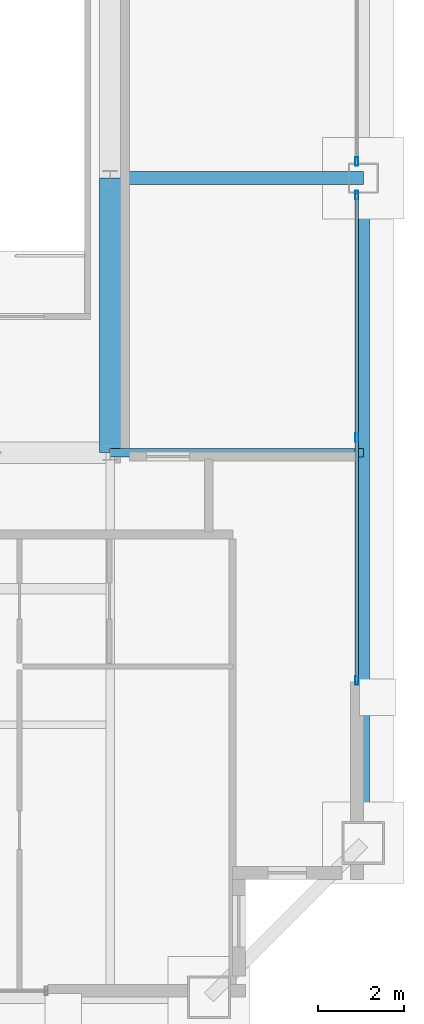
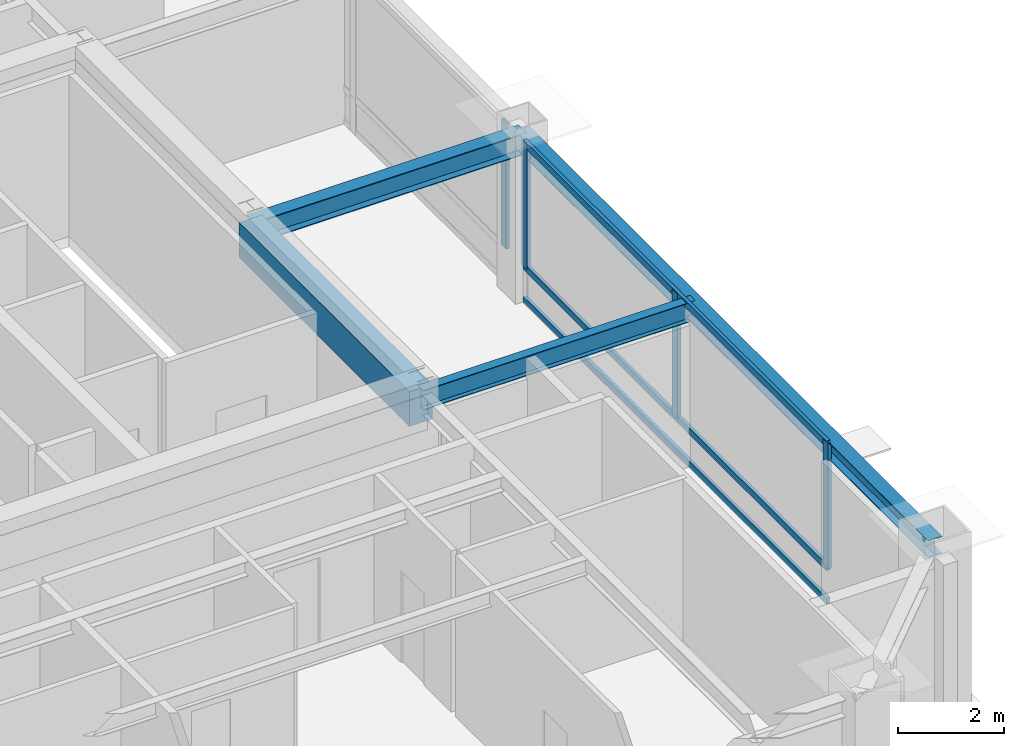
# One storey, part 14 of 34: 7 members, 4 beams, 2 elements without a shape of their own.
"""IFC4 building model written with IfcOpenShell, lengths in metres."""

from ifc_helpers import new_model, si_unit, direction, frame, origin, origin_2d, place, context, subcontext, project, spatial, rectangle, hollow_rectangle, i_section, extrude, source, transform, mapped, material, layer, layer_set, material_profile, profile_set, type_object, element, aggregate, save


model = new_model("IFC4")

# Units and contexts
model_context = context("Model", 3, precision=1e-05, world=origin(), true_north=direction((0.0, 1.0)))
body_context = subcontext(model_context, "Body", "Model", "MODEL_VIEW")
ifc_project = project(units=[si_unit("LENGTHUNIT", "METRE"), si_unit("AREAUNIT", "SQUARE_METRE"), si_unit("VOLUMEUNIT", "CUBIC_METRE"), si_unit("PLANEANGLEUNIT", "RADIAN"), si_unit("MASSUNIT", "GRAM", prefix="KILO"), si_unit("THERMODYNAMICTEMPERATUREUNIT", "KELVIN"), si_unit("POWERUNIT", "WATT")], contexts=[model_context])

# Site, building, storey
site_placement = place(None, origin())
site = spatial("IfcSite", under=ifc_project, at=site_placement, CompositionType="ELEMENT")
building_placement = place(site_placement, origin())
building = spatial("IfcBuilding", under=site, at=building_placement, Name="Yuzanri Waterfront Tower", CompositionType="ELEMENT")
storey_placement = place(building_placement, frame((0.0, 0.0, 347.199951171875)))
storey = spatial("IfcBuildingStorey", under=building, at=storey_placement, Name="L93", CompositionType="ELEMENT", Elevation=347.199951171875)

# Beams
ifc_material_1 = material(Name="Concrete C50", Category="concrete")
ifc_material_profile_1 = material_profile(ifc_material_1, rectangle(XDim=0.5, YDim=0.800048828125, at=origin_2d()), Name="RC 500x800")
ifc_profile_set_1 = profile_set([ifc_material_profile_1], Name="Concrete C50")
beam_type_1 = type_object("IfcBeamType", Name="Core Coupling Lintel Concrete C50 500x800", PredefinedType="LINTEL", material=ifc_profile_set_1)
shared_shape_1 = source(origin(), body_context, "Body", "SweptSolid", [
    extrude(rectangle(XDim=0.5, YDim=0.800048828125, at=origin_2d()), origin(), (0.0, 0.0, 1.0), 6.400146484375),
])
beam_1_placement = place(storey_placement, frame((50.199951171875, 19.39990234375, 3.300048828125), z_axis=(0.0, 1.0, 0.0), x_axis=(-1.0, 0.0, 0.0)))
element("IfcBeam", 1, at=beam_1_placement, inside=storey, type_object=beam_type_1, Name="L93 Core Tie Beam CE1", PredefinedType="LINTEL", context=body_context, shape_type="MappedRepresentation", body=[
    mapped(shared_shape_1, transform((0.0, 0.0, 0.0), scale=1.0)),
])
ifc_material_2 = material(Name="Steel Q355B", Category="steel")
ifc_material_profile_2 = material_profile(ifc_material_2, i_section(OverallWidth=0.300048828125, OverallDepth=0.389892578125, WebThickness=0.010009765625, FlangeThickness=0.01611328125, at=origin_2d()), Name="HM 390x300x10x16")
ifc_profile_set_2 = profile_set([ifc_material_profile_2], Name="Steel Q355B")
beam_type_2 = type_object("IfcBeamType", Name="Perimeter Spandrel Q355B HM 390x300", PredefinedType="SPANDREL", material=ifc_profile_set_2)
shared_shape_2 = source(origin(), body_context, "Body", "SweptSolid", [
    extrude(i_section(OverallWidth=0.300048828125, OverallDepth=0.389892578125, WebThickness=0.010009765625, FlangeThickness=0.01611328125, at=origin_2d()), origin(), (0.0, 0.0, 1.0), 15.5),
])
beam_2_placement = place(storey_placement, frame((56.10009765625, 10.300048828125, 3.505126953125), z_axis=(0.0, 1.0, 0.0), x_axis=(-1.0, 0.0, 0.0)))
element("IfcBeam", 2, at=beam_2_placement, inside=storey, type_object=beam_type_2, Name="L93 Perimeter Spandrel E1-E2", PredefinedType="SPANDREL", context=body_context, shape_type="MappedRepresentation", body=[
    mapped(shared_shape_2, transform((0.0, 0.0, 0.0), scale=1.0)),
])
ifc_material_3 = material(Name="Steel Q355B", Category="steel")
ifc_material_profile_3 = material_profile(ifc_material_3, i_section(OverallWidth=0.300048828125, OverallDepth=0.488037109375, WebThickness=0.010986328125, FlangeThickness=0.01806640625, at=origin_2d()), Name="HM 488x300x11x18")
ifc_profile_set_3 = profile_set([ifc_material_profile_3], Name="Steel Q355B")
beam_type_3 = type_object("IfcBeamType", Name="Primary Floor Girder Q355B HM 488x300", PredefinedType="BEAM", material=ifc_profile_set_3)
shared_shape_3 = source(origin(), body_context, "Body", "SweptSolid", [
    extrude(i_section(OverallWidth=0.300048828125, OverallDepth=0.488037109375, WebThickness=0.010986328125, FlangeThickness=0.01806640625, at=origin_2d()), origin(), (0.0, 0.0, 1.0), 5.900146484375),
])
beam_3_placement = place(storey_placement, frame((50.199951171875, 25.800048828125, 3.4560546875), z_axis=(1.0, 0.0, 0.0), x_axis=(0.0, 1.0, 0.0)))
element("IfcBeam", 3, at=beam_3_placement, inside=storey, type_object=beam_type_3, Name="L93 East Grid Girder", PredefinedType="BEAM", context=body_context, shape_type="MappedRepresentation", body=[
    mapped(shared_shape_3, transform((0.0, 0.0, 0.0), scale=1.0)),
])
ifc_material_4 = material(Name="Steel Q355B", Category="steel")
ifc_material_profile_4 = material_profile(ifc_material_4, i_section(OverallWidth=0.199951171875, OverallDepth=0.449951171875, WebThickness=0.009033203125, FlangeThickness=0.013916015625, at=origin_2d()), Name="HN 450x200x9x14")
ifc_profile_set_4 = profile_set([ifc_material_profile_4], Name="Steel Q355B")
beam_type_4 = type_object("IfcBeamType", Name="Secondary Floor Beam Q355B HN 450x200", PredefinedType="BEAM", material=ifc_profile_set_4)
shared_shape_4 = source(origin(), body_context, "Body", "SweptSolid", [
    extrude(i_section(OverallWidth=0.199951171875, OverallDepth=0.449951171875, WebThickness=0.009033203125, FlangeThickness=0.013916015625, at=origin_2d()), origin(), (0.0, 0.0, 1.0), 5.900146484375),
])
beam_4_placement = place(storey_placement, frame((50.199951171875, 19.39990234375, 3.47509765625), z_axis=(1.0, 0.0, 0.0), x_axis=(0.0, 1.0, 0.0)))
element("IfcBeam", 4, at=beam_4_placement, inside=storey, type_object=beam_type_4, Name="L93 East-South Core Line Beam", PredefinedType="BEAM", context=body_context, shape_type="MappedRepresentation", body=[
    mapped(shared_shape_4, transform((0.0, 0.0, 0.0), scale=1.0)),
])

# Curtain wall, members
ifc_material_5 = material(Name="Anodized Architectural Bronze", Category="metal")
ifc_layer = layer(ifc_material_5, 0.159912109375)
ifc_layer_set = layer_set([ifc_layer], Name="Anodized Architectural Bronze")
curtain_wall_type = type_object("IfcCurtainWallType", Name="Anodized Bronze High-Rise Penthouse High-Wind Unitized Curtain Wall 6900", PredefinedType="NOTDEFINED", material=ifc_layer_set)
curtain_wall_1_placement = place(storey_placement, origin())
curtain_wall_1 = element("IfcCurtainWall", 5, at=curtain_wall_1_placement, inside=storey, type_object=curtain_wall_type, Name="L93 Curtain Wall CW-L93-EL", PredefinedType="NOTDEFINED")
ifc_material_6 = material(Name="Anodized Architectural Bronze", Category="metal")
ifc_material_profile_5 = material_profile(ifc_material_6, hollow_rectangle(XDim=0.074951171875, YDim=0.14990234375, WallThickness=0.00390625, at=origin_2d()), Name="CWT 75x150")
ifc_profile_set_5 = profile_set([ifc_material_profile_5], Name="Anodized Architectural Bronze")
member_type_1 = type_object("IfcMemberType", Name="Anodized Bronze Primary Curtain-Wall Transom 75x150", PredefinedType="USERDEFINED", material=ifc_profile_set_5)
shared_shape_5 = source(origin(), body_context, "Body", "SweptSolid", [
    extrude(hollow_rectangle(XDim=0.074951171875, YDim=0.14990234375, WallThickness=0.00390625, at=origin_2d()), origin(), (0.0, 0.0, 1.0), 11.39990234375),
])
member_1_placement = place(storey_placement, frame((55.949951171875, 14.050048828125, 0.050048828125), z_axis=(0.0, 1.0, 0.0), x_axis=(-1.0, 0.0, 0.0)))
member_1 = element("IfcMember", 6, at=member_1_placement, type_object=member_type_1, Name="CW-L93-EL Transom 1", ObjectType="TRANSOM", PredefinedType="USERDEFINED", context=body_context, shape_type="MappedRepresentation", body=[
    mapped(shared_shape_5, transform((0.0, 0.0, 0.0), scale=1.0)),
])
member_2_placement = place(storey_placement, frame((55.949951171875, 14.050048828125, 0.820068359375), z_axis=(0.0, 1.0, 0.0), x_axis=(-1.0, 0.0, 0.0)))
member_2 = element("IfcMember", 7, at=member_2_placement, type_object=member_type_1, Name="CW-L93-EL Transom 2", ObjectType="TRANSOM", PredefinedType="USERDEFINED", context=body_context, shape_type="MappedRepresentation", body=[
    mapped(shared_shape_5, transform((0.0, 0.0, 0.0), scale=1.0)),
])
member_3_placement = place(storey_placement, frame((55.949951171875, 14.050048828125, 3.650146484375), z_axis=(0.0, 1.0, 0.0), x_axis=(-1.0, 0.0, 0.0)))
member_3 = element("IfcMember", 8, at=member_3_placement, type_object=member_type_1, Name="CW-L93-EL Transom 3", ObjectType="TRANSOM", PredefinedType="USERDEFINED", context=body_context, shape_type="MappedRepresentation", body=[
    mapped(shared_shape_5, transform((0.0, 0.0, 0.0), scale=1.0)),
])
ifc_material_7 = material(Name="Anodized Architectural Bronze", Category="metal")
ifc_material_profile_6 = material_profile(ifc_material_7, hollow_rectangle(XDim=0.074951171875, YDim=0.199951171875, WallThickness=0.00390625, at=origin_2d()), Name="CWM 75x200")
ifc_profile_set_6 = profile_set([ifc_material_profile_6], Name="Anodized Architectural Bronze")
member_type_2 = type_object("IfcMemberType", Name="Anodized Bronze Primary Curtain-Wall Mullion 75x200", PredefinedType="MULLION", material=ifc_profile_set_6)
shared_shape_6 = source(origin(), body_context, "Body", "SweptSolid", [
    extrude(hollow_rectangle(XDim=0.074951171875, YDim=0.199951171875, WallThickness=0.00390625, at=origin_2d()), origin(), (0.0, 0.0, 1.0), 2.8779296875),
])
member_4_placement = place(storey_placement, frame((55.949951171875, 14.090087890625, 0.822021484375), z_axis=(0.0, 0.0, 1.0), x_axis=(1.0, 0.0, 0.0)))
member_4 = element("IfcMember", 9, at=member_4_placement, type_object=member_type_2, Name="CW-L93-EL Upper Mullion 00", PredefinedType="MULLION", context=body_context, shape_type="MappedRepresentation", body=[
    mapped(shared_shape_6, transform((0.0, 0.0, 0.0), scale=1.0)),
])
member_5_placement = place(storey_placement, frame((55.949951171875, 19.75, 0.822021484375), z_axis=(0.0, 0.0, 1.0), x_axis=(1.0, 0.0, 0.0)))
member_5 = element("IfcMember", 10, at=member_5_placement, type_object=member_type_2, Name="CW-L93-EL Upper Mullion 01", PredefinedType="MULLION", context=body_context, shape_type="MappedRepresentation", body=[
    mapped(shared_shape_6, transform((0.0, 0.0, 0.0), scale=1.0)),
])
member_6_placement = place(storey_placement, frame((55.949951171875, 25.409912109375, 0.822021484375), z_axis=(0.0, 0.0, 1.0), x_axis=(1.0, 0.0, 0.0)))
member_6 = element("IfcMember", 11, at=member_6_placement, type_object=member_type_2, Name="CW-L93-EL Upper Mullion 02", PredefinedType="MULLION", context=body_context, shape_type="MappedRepresentation", body=[
    mapped(shared_shape_6, transform((0.0, 0.0, 0.0), scale=1.0)),
])
aggregate(curtain_wall_1, [member_4, member_5, member_6, member_1, member_2, member_3])

# Curtain wall, member
curtain_wall_2_placement = place(storey_placement, origin())
curtain_wall_2 = element("IfcCurtainWall", 12, at=curtain_wall_2_placement, inside=storey, type_object=curtain_wall_type, Name="L93 Curtain Wall CW-L93-ER", PredefinedType="NOTDEFINED")
member_7_placement = place(storey_placement, frame((55.949951171875, 26.18994140625, 0.822021484375), z_axis=(0.0, 0.0, 1.0), x_axis=(1.0, 0.0, 0.0)))
member_7 = element("IfcMember", 13, at=member_7_placement, type_object=member_type_2, Name="CW-L93-ER Upper Mullion 00", PredefinedType="MULLION", context=body_context, shape_type="MappedRepresentation", body=[
    mapped(shared_shape_6, transform((0.0, 0.0, 0.0), scale=1.0)),
])
aggregate(curtain_wall_2, [member_7])

save(model, "model.ifc")
